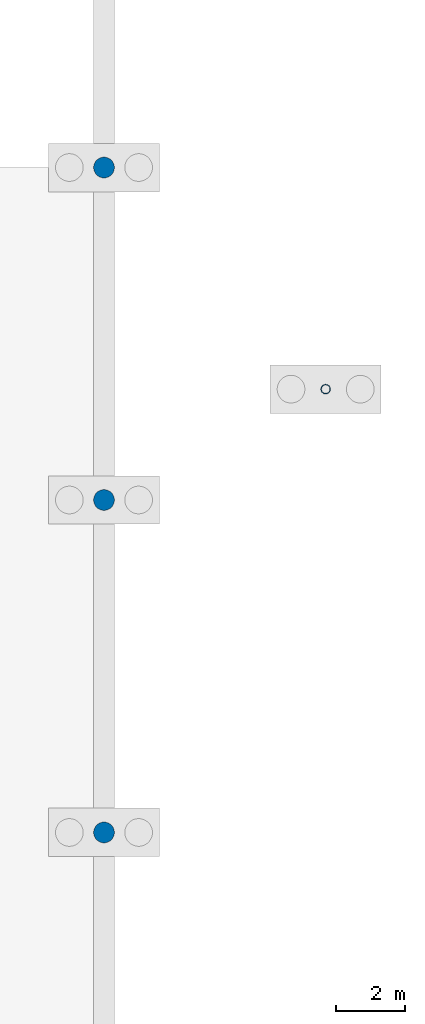
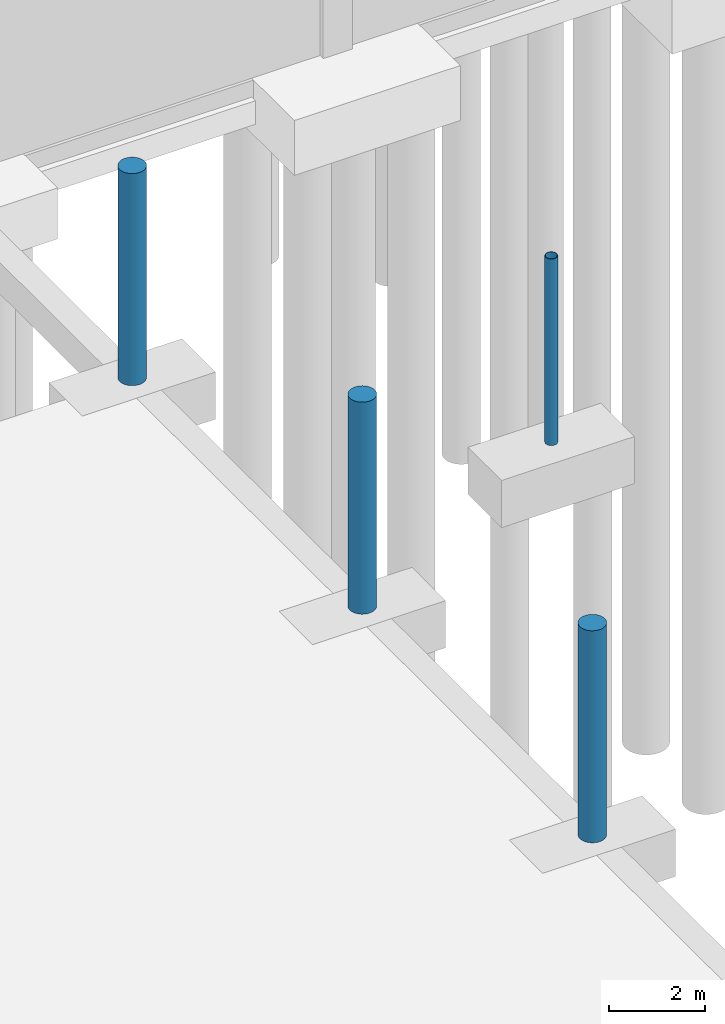
# One storey, part 16 of 41: 4 columns.
"""IFC4 building model written with IfcOpenShell, lengths in metres."""

from ifc_helpers import new_model, si_unit, direction, frame, origin, origin_2d, place, context, subcontext, project, spatial, circle, hollow_circle, extrude, material, material_profile, profile_set, type_object, element, save


model = new_model("IFC4")

# Units and contexts
model_context = context("Model", 3, precision=1e-05, world=origin(), true_north=direction((0.0, 1.0)))
body_context = subcontext(model_context, "Body", "Model", "MODEL_VIEW")
ifc_project = project(units=[si_unit("LENGTHUNIT", "METRE"), si_unit("AREAUNIT", "SQUARE_METRE"), si_unit("VOLUMEUNIT", "CUBIC_METRE"), si_unit("PLANEANGLEUNIT", "RADIAN"), si_unit("MASSUNIT", "GRAM", prefix="KILO")], contexts=[model_context])

# Site, building, storey
site_placement = place(None, origin())
site = spatial("IfcSite", under=ifc_project, at=site_placement, CompositionType="ELEMENT")
building_placement = place(site_placement, origin())
building = spatial("IfcBuilding", under=site, at=building_placement, Name="Shalvenor Court Art Gallery", CompositionType="ELEMENT")
storey_placement = place(building_placement, frame((0.0, 0.0, -5.39990234375)))
storey = spatial("IfcBuildingStorey", under=building, at=storey_placement, Name="B01", CompositionType="ELEMENT", Elevation=-5.39990234375)

# Columns
ifc_material_1 = material(Name="Concrete C40/50", Category="concrete")
ifc_material_profile_1 = material_profile(ifc_material_1, circle(Radius=0.300048828125, at=origin_2d()), Name="RC D600")
ifc_profile_set_1 = profile_set([ifc_material_profile_1], Name="Concrete C40/50")
column_type_1 = type_object("IfcColumnType", Name="C-08", PredefinedType="COLUMN", material=ifc_profile_set_1)
for number, where, z_axis, x_axis, name in (
    (1, (105.60009765625, 69.60009765625, 0.0), (0.0, 0.0, 1.0), (1.0, 0.0, 0.0), "B01 Column COL-B01-C-08-0424"),
    (2, (105.60009765625, 79.199951171875, 0.0), (0.0, 0.0, 1.0), (1.0, 0.0, 0.0), "B01 Column COL-B01-C-08-0425"),
    (3, (105.60009765625, 88.800048828125, 0.0), (0.0, 0.0, 1.0), (1.0, 0.0, 0.0), "B01 Column COL-B01-C-08-0426"),
):
    element("IfcColumn", number, at=place(storey_placement, frame(where, z_axis=z_axis, x_axis=x_axis)), inside=storey, type_object=column_type_1, Name=name, PredefinedType="COLUMN", context=body_context, shape_type="SweptSolid", body=[
        extrude(circle(Radius=0.300048828125, at=origin_2d()), origin(), (0.0, 0.0, 1.0), 5.39990234375),
    ])
ifc_material_2 = material(Name="Steel S355", Category="steel")
ifc_material_profile_2 = material_profile(ifc_material_2, hollow_circle(Radius=0.136474609375, WallThickness=0.012451171875, at=origin_2d()), Name="CHS 273.0x12.5")
ifc_profile_set_2 = profile_set([ifc_material_profile_2], Name="Steel S355")
column_type_2 = type_object("IfcColumnType", Name="C-11", PredefinedType="COLUMN", material=ifc_profile_set_2)
column_placement = place(storey_placement, frame((112.0, 82.39990234375, 0.0), z_axis=(0.0, 0.0, 1.0), x_axis=(1.0, 0.0, 0.0)))
element("IfcColumn", 4, at=column_placement, inside=storey, type_object=column_type_2, Name="B01 Terrace Stair Support Column COL-TST-B01-C-11-0788", PredefinedType="COLUMN", context=body_context, shape_type="SweptSolid", body=[
    extrude(hollow_circle(Radius=0.136474609375, WallThickness=0.012451171875, at=origin_2d()), origin(), (0.0, 0.0, 1.0), 4.75),
])

save(model, "model.ifc")
